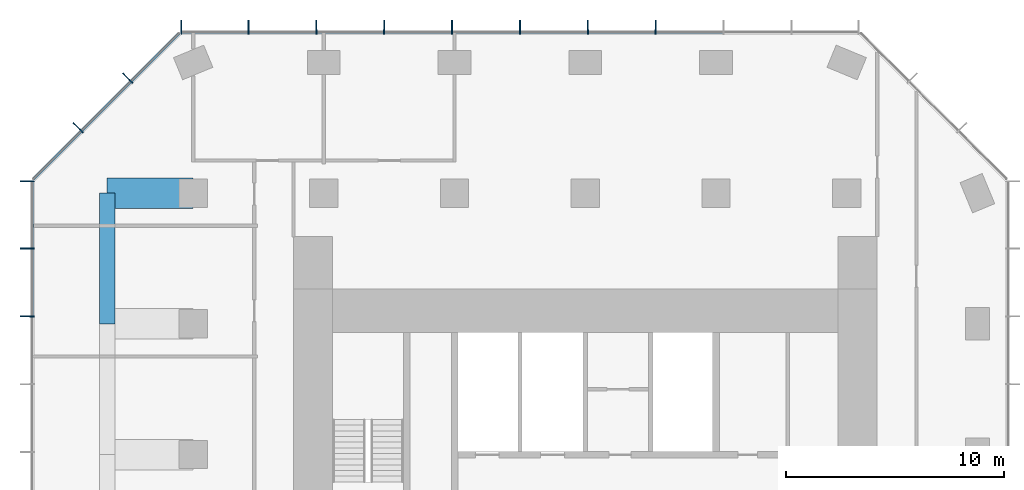
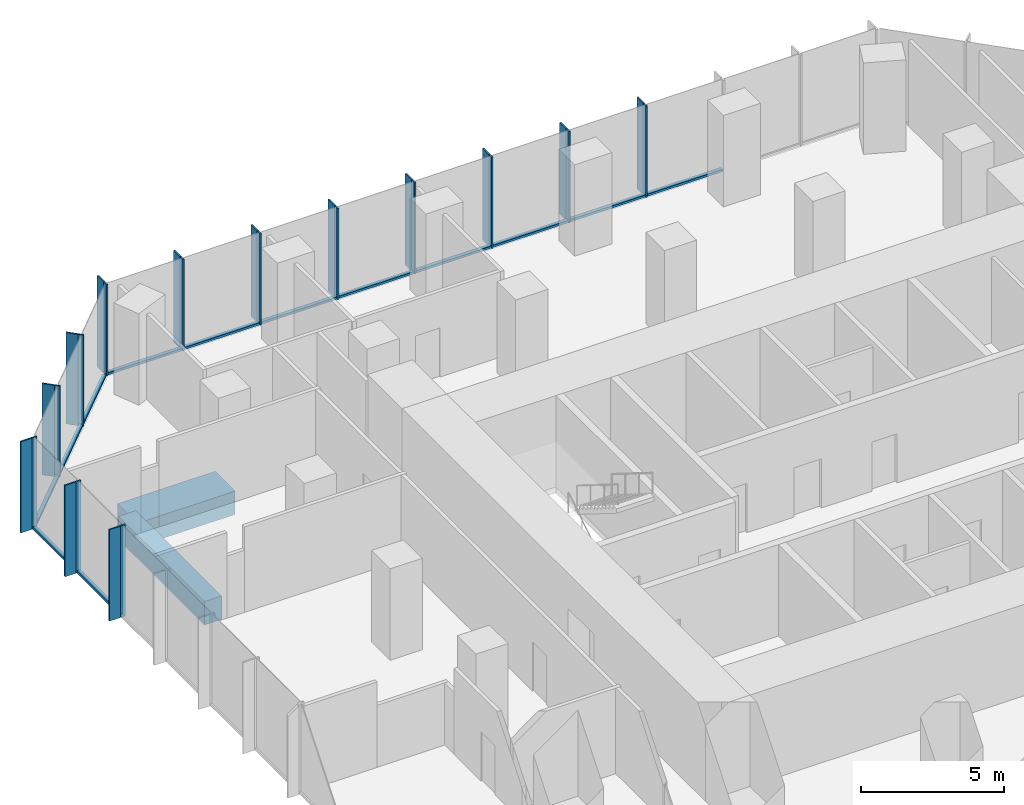
# One storey, part 5 of 11: 39 members, 2 beams, 3 elements without a shape of their own.
"""IFC4 building model written with IfcOpenShell, lengths in metres."""

from ifc_helpers import new_model, si_unit, direction, frame, origin, origin_2d, place, context, subcontext, project, spatial, rectangle, extrude, material, layer, layer_set, material_profile, profile_set, type_object, element, aggregate, save


model = new_model("IFC4")

# Units and contexts
model_context = context("Model", 3, precision=1e-05, world=origin(), true_north=direction((0.0, 1.0)))
body_context = subcontext(model_context, "Body", "Model", "MODEL_VIEW")
ifc_project = project(units=[si_unit("LENGTHUNIT", "METRE"), si_unit("AREAUNIT", "SQUARE_METRE"), si_unit("VOLUMEUNIT", "CUBIC_METRE"), si_unit("PLANEANGLEUNIT", "RADIAN"), si_unit("MASSUNIT", "GRAM", prefix="KILO")], contexts=[model_context])

# Site, building, storey
site_placement = place(None, origin())
site = spatial("IfcSite", under=ifc_project, at=site_placement, CompositionType="ELEMENT")
building_placement = place(site_placement, origin())
building = spatial("IfcBuilding", under=site, at=building_placement, Name="Highveld Stack Headquarters", CompositionType="ELEMENT")
storey_placement = place(building_placement, frame((0.0, 0.0, 224.0)))
storey = spatial("IfcBuildingStorey", under=building, at=storey_placement, Name="L55", CompositionType="ELEMENT", Elevation=224.0)

# Beam
ifc_material_1 = material(Name="Concrete C60/75", Category="concrete")
ifc_material_profile_1 = material_profile(ifc_material_1, rectangle(XDim=1.39990234375, YDim=1.0, at=origin_2d()), Name="RC 1400x1000")
ifc_profile_set_1 = profile_set([ifc_material_profile_1], Name="Concrete C60/75")
beam_type_1 = type_object("IfcBeamType", Name="CANTILEVER RIB RC 1400x1000", PredefinedType="USERDEFINED", material=ifc_profile_set_1)
beam_1_placement = place(storey_placement, frame((-12.0, 18.0, -0.75), z_axis=(-1.0, 0.0, 0.0), x_axis=(0.0, -1.0, 0.0)))
element("IfcBeam", 1, at=beam_1_placement, inside=storey, type_object=beam_type_1, Name="Cantilever rib 4/H L55", ObjectType="CANTILEVER RIB", PredefinedType="USERDEFINED", context=body_context, shape_type="SweptSolid", body=[
    extrude(rectangle(XDim=1.39990234375, YDim=1.0, at=origin_2d()), origin(), (0.0, 0.0, 1.0), 3.949951171875),
])

# Curtain wall, members
ifc_material_2 = material(Name="Aluminium bronze anodised", Category="aluminium")
ifc_layer_1 = layer(ifc_material_2, 0.199951171875)
ifc_layer_set_1 = layer_set([ifc_layer_1], Name="Aluminium bronze anodised")
curtain_wall_type_1 = type_object("IfcCurtainWallType", Name="CW1 TOWER UNITISED CURTAIN WALL", PredefinedType="NOTDEFINED", material=ifc_layer_set_1)
curtain_wall_1_placement = place(storey_placement, origin())
curtain_wall_1 = element("IfcCurtainWall", 2, at=curtain_wall_1_placement, inside=storey, type_object=curtain_wall_type_1, Name="Curtain wall CW1 L55 N", PredefinedType="NOTDEFINED")
ifc_material_3 = material(Name="Aluminium bronze anodised", Category="aluminium")
ifc_material_profile_2 = material_profile(ifc_material_3, rectangle(XDim=0.449951171875, YDim=0.06005859375, at=origin_2d()), Name="FIN 450x60")
ifc_profile_set_2 = profile_set([ifc_material_profile_2], Name="Aluminium bronze anodised")
member_type_1 = type_object("IfcMemberType", Name="CW1 BRONZE FIN 450x60", PredefinedType="USERDEFINED", material=ifc_profile_set_2)
member_1_placement = place(storey_placement, frame((9.23193359375, 25.72509765625, 0.0), z_axis=(0.0, 0.0, 1.0), x_axis=(0.0, -1.0, 0.0)))
member_1 = element("IfcMember", 3, at=member_1_placement, type_object=member_type_1, Name="CW1 fin L55 4", ObjectType="FIN", PredefinedType="USERDEFINED", context=body_context, shape_type="SweptSolid", body=[
    extrude(rectangle(XDim=0.449951171875, YDim=0.06005859375, at=origin_2d()), origin(), (0.0, 0.0, 1.0), 3.89990234375),
])
member_2_placement = place(storey_placement, frame((6.115966796875, 25.72509765625, 0.0), z_axis=(0.0, 0.0, 1.0), x_axis=(0.0, -1.0, 0.0)))
member_2 = element("IfcMember", 4, at=member_2_placement, type_object=member_type_1, Name="CW1 fin L55 5", ObjectType="FIN", PredefinedType="USERDEFINED", context=body_context, shape_type="SweptSolid", body=[
    extrude(rectangle(XDim=0.449951171875, YDim=0.06005859375, at=origin_2d()), origin(), (0.0, 0.0, 1.0), 3.89990234375),
])
member_3_placement = place(storey_placement, frame((3.0, 25.72509765625, 0.0), z_axis=(0.0, 0.0, 1.0), x_axis=(0.0, -1.0, 0.0)))
member_3 = element("IfcMember", 5, at=member_3_placement, type_object=member_type_1, Name="CW1 fin L55 6", ObjectType="FIN", PredefinedType="USERDEFINED", context=body_context, shape_type="SweptSolid", body=[
    extrude(rectangle(XDim=0.449951171875, YDim=0.06005859375, at=origin_2d()), origin(), (0.0, 0.0, 1.0), 3.89990234375),
])
member_4_placement = place(storey_placement, frame((-0.115966796875, 25.72509765625, 0.0), z_axis=(0.0, 0.0, 1.0), x_axis=(0.0, -1.0, 0.0)))
member_4 = element("IfcMember", 6, at=member_4_placement, type_object=member_type_1, Name="CW1 fin L55 7", ObjectType="FIN", PredefinedType="USERDEFINED", context=body_context, shape_type="SweptSolid", body=[
    extrude(rectangle(XDim=0.449951171875, YDim=0.06005859375, at=origin_2d()), origin(), (0.0, 0.0, 1.0), 3.89990234375),
])
member_5_placement = place(storey_placement, frame((-3.23193359375, 25.72509765625, 0.0), z_axis=(0.0, 0.0, 1.0), x_axis=(0.0, -1.0, 0.0)))
member_5 = element("IfcMember", 7, at=member_5_placement, type_object=member_type_1, Name="CW1 fin L55 8", ObjectType="FIN", PredefinedType="USERDEFINED", context=body_context, shape_type="SweptSolid", body=[
    extrude(rectangle(XDim=0.449951171875, YDim=0.06005859375, at=origin_2d()), origin(), (0.0, 0.0, 1.0), 3.89990234375),
])
member_6_placement = place(storey_placement, frame((-6.347900390625, 25.72509765625, 0.0), z_axis=(0.0, 0.0, 1.0), x_axis=(0.0, -1.0, 0.0)))
member_6 = element("IfcMember", 8, at=member_6_placement, type_object=member_type_1, Name="CW1 fin L55 9", ObjectType="FIN", PredefinedType="USERDEFINED", context=body_context, shape_type="SweptSolid", body=[
    extrude(rectangle(XDim=0.449951171875, YDim=0.06005859375, at=origin_2d()), origin(), (0.0, 0.0, 1.0), 3.89990234375),
])
member_7_placement = place(storey_placement, frame((-9.4638671875, 25.72509765625, 0.0), z_axis=(0.0, 0.0, 1.0), x_axis=(0.0, -1.0, 0.0)))
member_7 = element("IfcMember", 9, at=member_7_placement, type_object=member_type_1, Name="CW1 fin L55 10", ObjectType="FIN", PredefinedType="USERDEFINED", context=body_context, shape_type="SweptSolid", body=[
    extrude(rectangle(XDim=0.449951171875, YDim=0.06005859375, at=origin_2d()), origin(), (0.0, 0.0, 1.0), 3.89990234375),
])
member_8_placement = place(storey_placement, frame((-12.54736328125, 25.72509765625, 0.0), z_axis=(0.0, 0.0, 1.0), x_axis=(0.0, -1.0, 0.0)))
member_8 = element("IfcMember", 10, at=member_8_placement, type_object=member_type_1, Name="CW1 fin L55 11", ObjectType="FIN", PredefinedType="USERDEFINED", context=body_context, shape_type="SweptSolid", body=[
    extrude(rectangle(XDim=0.449951171875, YDim=0.06005859375, at=origin_2d()), origin(), (0.0, 0.0, 1.0), 3.89990234375),
])

curtain_wall_2_placement = place(storey_placement, origin())
curtain_wall_2 = element("IfcCurtainWall", 11, at=curtain_wall_2_placement, inside=storey, type_object=curtain_wall_type_1, Name="Curtain wall CW1 L55 W", PredefinedType="NOTDEFINED")
member_9_placement = place(storey_placement, frame((-19.72509765625, 18.54736328125, 0.0), z_axis=(0.0, 0.0, 1.0), x_axis=(1.0, 0.0, 0.0)))
member_9 = element("IfcMember", 12, at=member_9_placement, type_object=member_type_1, Name="CW1 fin L55 1", ObjectType="FIN", PredefinedType="USERDEFINED", context=body_context, shape_type="SweptSolid", body=[
    extrude(rectangle(XDim=0.449951171875, YDim=0.06005859375, at=origin_2d()), origin(), (0.0, 0.0, 1.0), 3.89990234375),
])
member_10_placement = place(storey_placement, frame((-19.72509765625, 15.4638671875, 0.0), z_axis=(0.0, 0.0, 1.0), x_axis=(1.0, 0.0, 0.0)))
member_10 = element("IfcMember", 13, at=member_10_placement, type_object=member_type_1, Name="CW1 fin L55 2", ObjectType="FIN", PredefinedType="USERDEFINED", context=body_context, shape_type="SweptSolid", body=[
    extrude(rectangle(XDim=0.449951171875, YDim=0.06005859375, at=origin_2d()), origin(), (0.0, 0.0, 1.0), 3.89990234375),
])
member_11_placement = place(storey_placement, frame((-19.72509765625, 12.347900390625, 0.0), z_axis=(0.0, 0.0, 1.0), x_axis=(1.0, 0.0, 0.0)))
member_11 = element("IfcMember", 14, at=member_11_placement, type_object=member_type_1, Name="CW1 fin L55 3", ObjectType="FIN", PredefinedType="USERDEFINED", context=body_context, shape_type="SweptSolid", body=[
    extrude(rectangle(XDim=0.449951171875, YDim=0.06005859375, at=origin_2d()), origin(), (0.0, 0.0, 1.0), 3.89990234375),
])

# Member
ifc_material_4 = material(Name="Aluminium bronze anodised", Category="aluminium")
ifc_material_profile_3 = material_profile(ifc_material_4, rectangle(XDim=0.199951171875, YDim=0.06494140625, at=origin_2d()), Name="CW1 MULLION 65x200")
ifc_profile_set_3 = profile_set([ifc_material_profile_3], Name="Aluminium bronze anodised")
member_type_2 = type_object("IfcMemberType", Name="CW1 MULLION 65x200", PredefinedType="MULLION", material=ifc_profile_set_3)
member_12_placement = place(storey_placement, frame((9.23193359375, 25.39990234375, 0.0), z_axis=(0.0, 0.0, 1.0), x_axis=(0.0, -1.0, 0.0)))
member_12 = element("IfcMember", 15, at=member_12_placement, type_object=member_type_2, Name="CW1 mullion L55 4", PredefinedType="MULLION", context=body_context, shape_type="SweptSolid", body=[
    extrude(rectangle(XDim=0.199951171875, YDim=0.06494140625, at=origin_2d()), origin(), (0.0, 0.0, 1.0), 3.89990234375),
])

member_13_placement = place(storey_placement, frame((6.115966796875, 25.39990234375, 0.0), z_axis=(0.0, 0.0, 1.0), x_axis=(0.0, -1.0, 0.0)))
member_13 = element("IfcMember", 16, at=member_13_placement, type_object=member_type_2, Name="CW1 mullion L55 5", PredefinedType="MULLION", context=body_context, shape_type="SweptSolid", body=[
    extrude(rectangle(XDim=0.199951171875, YDim=0.06494140625, at=origin_2d()), origin(), (0.0, 0.0, 1.0), 3.89990234375),
])

member_14_placement = place(storey_placement, frame((3.0, 25.39990234375, 0.0), z_axis=(0.0, 0.0, 1.0), x_axis=(0.0, -1.0, 0.0)))
member_14 = element("IfcMember", 17, at=member_14_placement, type_object=member_type_2, Name="CW1 mullion L55 6", PredefinedType="MULLION", context=body_context, shape_type="SweptSolid", body=[
    extrude(rectangle(XDim=0.199951171875, YDim=0.06494140625, at=origin_2d()), origin(), (0.0, 0.0, 1.0), 3.89990234375),
])

member_15_placement = place(storey_placement, frame((-0.115966796875, 25.39990234375, 0.0), z_axis=(0.0, 0.0, 1.0), x_axis=(0.0, -1.0, 0.0)))
member_15 = element("IfcMember", 18, at=member_15_placement, type_object=member_type_2, Name="CW1 mullion L55 7", PredefinedType="MULLION", context=body_context, shape_type="SweptSolid", body=[
    extrude(rectangle(XDim=0.199951171875, YDim=0.06494140625, at=origin_2d()), origin(), (0.0, 0.0, 1.0), 3.89990234375),
])

member_16_placement = place(storey_placement, frame((-3.23193359375, 25.39990234375, 0.0), z_axis=(0.0, 0.0, 1.0), x_axis=(0.0, -1.0, 0.0)))
member_16 = element("IfcMember", 19, at=member_16_placement, type_object=member_type_2, Name="CW1 mullion L55 8", PredefinedType="MULLION", context=body_context, shape_type="SweptSolid", body=[
    extrude(rectangle(XDim=0.199951171875, YDim=0.06494140625, at=origin_2d()), origin(), (0.0, 0.0, 1.0), 3.89990234375),
])

member_17_placement = place(storey_placement, frame((-6.347900390625, 25.39990234375, 0.0), z_axis=(0.0, 0.0, 1.0), x_axis=(0.0, -1.0, 0.0)))
member_17 = element("IfcMember", 20, at=member_17_placement, type_object=member_type_2, Name="CW1 mullion L55 9", PredefinedType="MULLION", context=body_context, shape_type="SweptSolid", body=[
    extrude(rectangle(XDim=0.199951171875, YDim=0.06494140625, at=origin_2d()), origin(), (0.0, 0.0, 1.0), 3.89990234375),
])

member_18_placement = place(storey_placement, frame((-9.4638671875, 25.39990234375, 0.0), z_axis=(0.0, 0.0, 1.0), x_axis=(0.0, -1.0, 0.0)))
member_18 = element("IfcMember", 21, at=member_18_placement, type_object=member_type_2, Name="CW1 mullion L55 10", PredefinedType="MULLION", context=body_context, shape_type="SweptSolid", body=[
    extrude(rectangle(XDim=0.199951171875, YDim=0.06494140625, at=origin_2d()), origin(), (0.0, 0.0, 1.0), 3.89990234375),
])

member_19_placement = place(storey_placement, frame((-12.54736328125, 25.39990234375, 0.0), z_axis=(0.0, 0.0, 1.0), x_axis=(0.0, -1.0, 0.0)))
member_19 = element("IfcMember", 22, at=member_19_placement, type_object=member_type_2, Name="CW1 mullion L55 11", PredefinedType="MULLION", context=body_context, shape_type="SweptSolid", body=[
    extrude(rectangle(XDim=0.199951171875, YDim=0.06494140625, at=origin_2d()), origin(), (0.0, 0.0, 1.0), 3.89990234375),
])

member_20_placement = place(storey_placement, frame((-19.39990234375, 18.54736328125, 0.0), z_axis=(0.0, 0.0, 1.0), x_axis=(1.0, 0.0, 0.0)))
member_20 = element("IfcMember", 23, at=member_20_placement, type_object=member_type_2, Name="CW1 mullion L55 1", PredefinedType="MULLION", context=body_context, shape_type="SweptSolid", body=[
    extrude(rectangle(XDim=0.199951171875, YDim=0.06494140625, at=origin_2d()), origin(), (0.0, 0.0, 1.0), 3.89990234375),
])

member_21_placement = place(storey_placement, frame((-19.39990234375, 15.4638671875, 0.0), z_axis=(0.0, 0.0, 1.0), x_axis=(1.0, 0.0, 0.0)))
member_21 = element("IfcMember", 24, at=member_21_placement, type_object=member_type_2, Name="CW1 mullion L55 2", PredefinedType="MULLION", context=body_context, shape_type="SweptSolid", body=[
    extrude(rectangle(XDim=0.199951171875, YDim=0.06494140625, at=origin_2d()), origin(), (0.0, 0.0, 1.0), 3.89990234375),
])

member_22_placement = place(storey_placement, frame((-19.39990234375, 12.347900390625, 0.0), z_axis=(0.0, 0.0, 1.0), x_axis=(1.0, 0.0, 0.0)))
member_22 = element("IfcMember", 25, at=member_22_placement, type_object=member_type_2, Name="CW1 mullion L55 3", PredefinedType="MULLION", context=body_context, shape_type="SweptSolid", body=[
    extrude(rectangle(XDim=0.199951171875, YDim=0.06494140625, at=origin_2d()), origin(), (0.0, 0.0, 1.0), 3.89990234375),
])

ifc_material_5 = material(Name="Aluminium bronze anodised", Category="aluminium")
ifc_material_profile_4 = material_profile(ifc_material_5, rectangle(XDim=0.14990234375, YDim=0.10009765625, at=origin_2d()), Name="CW1 TRANSOM 150x100")
ifc_profile_set_4 = profile_set([ifc_material_profile_4], Name="Aluminium bronze anodised")
member_type_3 = type_object("IfcMemberType", Name="CW1 STACK TRANSOM 150x100", PredefinedType="USERDEFINED", material=ifc_profile_set_4)
member_23_placement = place(storey_placement, frame((12.3154296875, 25.39990234375, 0.050048828125), z_axis=(-1.0, 0.0, 0.0), x_axis=(0.0, -1.0, 0.0)))
member_23 = element("IfcMember", 26, at=member_23_placement, type_object=member_type_3, Name="CW1 transom L55 3.1", ObjectType="TRANSOM", PredefinedType="USERDEFINED", context=body_context, shape_type="SweptSolid", body=[
    extrude(rectangle(XDim=0.14990234375, YDim=0.10009765625, at=origin_2d()), origin(), (0.0, 0.0, 1.0), 3.051025390625),
])

member_24_placement = place(storey_placement, frame((9.199462890625, 25.39990234375, 0.050048828125), z_axis=(-1.0, 0.0, 0.0), x_axis=(0.0, -1.0, 0.0)))
member_24 = element("IfcMember", 27, at=member_24_placement, type_object=member_type_3, Name="CW1 transom L55 4.1", ObjectType="TRANSOM", PredefinedType="USERDEFINED", context=body_context, shape_type="SweptSolid", body=[
    extrude(rectangle(XDim=0.14990234375, YDim=0.10009765625, at=origin_2d()), origin(), (0.0, 0.0, 1.0), 3.051025390625),
])

member_25_placement = place(storey_placement, frame((6.08349609375, 25.39990234375, 0.050048828125), z_axis=(-1.0, 0.0, 0.0), x_axis=(0.0, -1.0, 0.0)))
member_25 = element("IfcMember", 28, at=member_25_placement, type_object=member_type_3, Name="CW1 transom L55 5.1", ObjectType="TRANSOM", PredefinedType="USERDEFINED", context=body_context, shape_type="SweptSolid", body=[
    extrude(rectangle(XDim=0.14990234375, YDim=0.10009765625, at=origin_2d()), origin(), (0.0, 0.0, 1.0), 3.051025390625),
])

member_26_placement = place(storey_placement, frame((2.967529296875, 25.39990234375, 0.050048828125), z_axis=(-1.0, 0.0, 0.0), x_axis=(0.0, -1.0, 0.0)))
member_26 = element("IfcMember", 29, at=member_26_placement, type_object=member_type_3, Name="CW1 transom L55 6.1", ObjectType="TRANSOM", PredefinedType="USERDEFINED", context=body_context, shape_type="SweptSolid", body=[
    extrude(rectangle(XDim=0.14990234375, YDim=0.10009765625, at=origin_2d()), origin(), (0.0, 0.0, 1.0), 3.051025390625),
])

member_27_placement = place(storey_placement, frame((-0.1484375, 25.39990234375, 0.050048828125), z_axis=(-1.0, 0.0, 0.0), x_axis=(0.0, -1.0, 0.0)))
member_27 = element("IfcMember", 30, at=member_27_placement, type_object=member_type_3, Name="CW1 transom L55 7.1", ObjectType="TRANSOM", PredefinedType="USERDEFINED", context=body_context, shape_type="SweptSolid", body=[
    extrude(rectangle(XDim=0.14990234375, YDim=0.10009765625, at=origin_2d()), origin(), (0.0, 0.0, 1.0), 3.051025390625),
])

member_28_placement = place(storey_placement, frame((-3.264404296875, 25.39990234375, 0.050048828125), z_axis=(-1.0, 0.0, 0.0), x_axis=(0.0, -1.0, 0.0)))
member_28 = element("IfcMember", 31, at=member_28_placement, type_object=member_type_3, Name="CW1 transom L55 8.1", ObjectType="TRANSOM", PredefinedType="USERDEFINED", context=body_context, shape_type="SweptSolid", body=[
    extrude(rectangle(XDim=0.14990234375, YDim=0.10009765625, at=origin_2d()), origin(), (0.0, 0.0, 1.0), 3.051025390625),
])

member_29_placement = place(storey_placement, frame((-6.38037109375, 25.39990234375, 0.050048828125), z_axis=(-1.0, 0.0, 0.0), x_axis=(0.0, -1.0, 0.0)))
member_29 = element("IfcMember", 32, at=member_29_placement, type_object=member_type_3, Name="CW1 transom L55 9.1", ObjectType="TRANSOM", PredefinedType="USERDEFINED", context=body_context, shape_type="SweptSolid", body=[
    extrude(rectangle(XDim=0.14990234375, YDim=0.10009765625, at=origin_2d()), origin(), (0.0, 0.0, 1.0), 3.051025390625),
])

member_30_placement = place(storey_placement, frame((-9.496337890625, 25.39990234375, 0.050048828125), z_axis=(-1.0, 0.0, 0.0), x_axis=(0.0, -1.0, 0.0)))
member_30 = element("IfcMember", 33, at=member_30_placement, type_object=member_type_3, Name="CW1 transom L55 10.1", ObjectType="TRANSOM", PredefinedType="USERDEFINED", context=body_context, shape_type="SweptSolid", body=[
    extrude(rectangle(XDim=0.14990234375, YDim=0.10009765625, at=origin_2d()), origin(), (0.0, 0.0, 1.0), 3.0185546875),
])

aggregate(curtain_wall_1, [member_12, member_1, member_13, member_2, member_14, member_3, member_15, member_4, member_16, member_5, member_17, member_6, member_18, member_7, member_19, member_8, member_23, member_24, member_25, member_26, member_27, member_28, member_29, member_30])

member_31_placement = place(storey_placement, frame((-19.39990234375, 18.514892578125, 0.050048828125), z_axis=(0.0, -1.0, 0.0), x_axis=(1.0, 0.0, 0.0)))
member_31 = element("IfcMember", 34, at=member_31_placement, type_object=member_type_3, Name="CW1 transom L55 1.1", ObjectType="TRANSOM", PredefinedType="USERDEFINED", context=body_context, shape_type="SweptSolid", body=[
    extrude(rectangle(XDim=0.14990234375, YDim=0.10009765625, at=origin_2d()), origin(), (0.0, 0.0, 1.0), 3.0185546875),
])

member_32_placement = place(storey_placement, frame((-19.39990234375, 15.431396484375, 0.050048828125), z_axis=(0.0, -1.0, 0.0), x_axis=(1.0, 0.0, 0.0)))
member_32 = element("IfcMember", 35, at=member_32_placement, type_object=member_type_3, Name="CW1 transom L55 2.1", ObjectType="TRANSOM", PredefinedType="USERDEFINED", context=body_context, shape_type="SweptSolid", body=[
    extrude(rectangle(XDim=0.14990234375, YDim=0.10009765625, at=origin_2d()), origin(), (0.0, 0.0, 1.0), 3.051025390625),
])

aggregate(curtain_wall_2, [member_20, member_9, member_21, member_10, member_22, member_11, member_31, member_32])

# Curtain wall, members
ifc_material_6 = material(Name="Aluminium bronze anodised", Category="aluminium")
ifc_layer_2 = layer(ifc_material_6, 0.199951171875)
ifc_layer_set_2 = layer_set([ifc_layer_2], Name="Aluminium bronze anodised")
curtain_wall_type_2 = type_object("IfcCurtainWallType", Name="CW2 TOWER CHAMFER UNITISED CURTAIN WALL", PredefinedType="NOTDEFINED", material=ifc_layer_set_2)
curtain_wall_3_placement = place(storey_placement, origin())
curtain_wall_3 = element("IfcCurtainWall", 36, at=curtain_wall_3_placement, inside=storey, type_object=curtain_wall_type_2, Name="Curtain wall CW2 L55 NW", PredefinedType="NOTDEFINED")
ifc_material_7 = material(Name="Aluminium bronze anodised", Category="aluminium")
ifc_material_profile_5 = material_profile(ifc_material_7, rectangle(XDim=0.449951171875, YDim=0.06005859375, at=origin_2d()), Name="FIN 450x60")
ifc_profile_set_5 = profile_set([ifc_material_profile_5], Name="Aluminium bronze anodised")
member_type_4 = type_object("IfcMemberType", Name="CW2 BRONZE FIN 450x60", PredefinedType="USERDEFINED", material=ifc_profile_set_5)
member_33_placement = place(storey_placement, frame((-15.0830078125, 23.3564453125, 0.0), z_axis=(0.0, 0.0, 1.0), x_axis=(0.707106781187, -0.707106781187, 0.0)))
member_33 = element("IfcMember", 37, at=member_33_placement, type_object=member_type_4, Name="CW2 fin L55 1", ObjectType="FIN", PredefinedType="USERDEFINED", context=body_context, shape_type="SweptSolid", body=[
    extrude(rectangle(XDim=0.449951171875, YDim=0.06005859375, at=origin_2d()), origin(), (0.0, 0.0, 1.0), 3.89990234375),
])
member_34_placement = place(storey_placement, frame((-17.3564453125, 21.0830078125, 0.0), z_axis=(0.0, 0.0, 1.0), x_axis=(0.707106781187, -0.707106781187, 0.0)))
member_34 = element("IfcMember", 38, at=member_34_placement, type_object=member_type_4, Name="CW2 fin L55 2", ObjectType="FIN", PredefinedType="USERDEFINED", context=body_context, shape_type="SweptSolid", body=[
    extrude(rectangle(XDim=0.449951171875, YDim=0.06005859375, at=origin_2d()), origin(), (0.0, 0.0, 1.0), 3.89990234375),
])
ifc_material_8 = material(Name="Aluminium bronze anodised", Category="aluminium")
ifc_material_profile_6 = material_profile(ifc_material_8, rectangle(XDim=0.199951171875, YDim=0.06494140625, at=origin_2d()), Name="CW2 MULLION 65x200")
ifc_profile_set_6 = profile_set([ifc_material_profile_6], Name="Aluminium bronze anodised")
member_type_5 = type_object("IfcMemberType", Name="CW2 MULLION 65x200", PredefinedType="MULLION", material=ifc_profile_set_6)
member_35_placement = place(storey_placement, frame((-14.853271484375, 23.126708984375, 0.0), z_axis=(0.0, 0.0, 1.0), x_axis=(0.707106781187, -0.707106781187, 0.0)))
member_35 = element("IfcMember", 39, at=member_35_placement, type_object=member_type_5, Name="CW2 mullion L55 1", PredefinedType="MULLION", context=body_context, shape_type="SweptSolid", body=[
    extrude(rectangle(XDim=0.199951171875, YDim=0.06494140625, at=origin_2d()), origin(), (0.0, 0.0, 1.0), 3.89990234375),
])
member_36_placement = place(storey_placement, frame((-17.126708984375, 20.853271484375, 0.0), z_axis=(0.0, 0.0, 1.0), x_axis=(0.707106781187, -0.707106781187, 0.0)))
member_36 = element("IfcMember", 40, at=member_36_placement, type_object=member_type_5, Name="CW2 mullion L55 2", PredefinedType="MULLION", context=body_context, shape_type="SweptSolid", body=[
    extrude(rectangle(XDim=0.199951171875, YDim=0.06494140625, at=origin_2d()), origin(), (0.0, 0.0, 1.0), 3.89990234375),
])
ifc_material_9 = material(Name="Aluminium bronze anodised", Category="aluminium")
ifc_material_profile_7 = material_profile(ifc_material_9, rectangle(XDim=0.14990234375, YDim=0.10009765625, at=origin_2d()), Name="CW2 TRANSOM 150x100")
ifc_profile_set_7 = profile_set([ifc_material_profile_7], Name="Aluminium bronze anodised")
member_type_6 = type_object("IfcMemberType", Name="CW2 STACK TRANSOM 150x100", PredefinedType="USERDEFINED", material=ifc_profile_set_7)
member_37_placement = place(storey_placement, frame((-12.650634765625, 25.329345703125, 0.050048828125), z_axis=(-0.707106781187, -0.707106781187, 0.0), x_axis=(0.707106781187, -0.707106781187, 0.0)))
member_37 = element("IfcMember", 41, at=member_37_placement, type_object=member_type_6, Name="CW2 transom L55 1.1", ObjectType="TRANSOM", PredefinedType="USERDEFINED", context=body_context, shape_type="SweptSolid", body=[
    extrude(rectangle(XDim=0.14990234375, YDim=0.10009765625, at=origin_2d()), origin(), (0.0, 0.0, 1.0), 3.08251953125),
])
member_38_placement = place(storey_placement, frame((-14.876220703125, 23.103759765625, 0.050048828125), z_axis=(-0.707106781187, -0.707106781187, 0.0), x_axis=(0.707106781187, -0.707106781187, 0.0)))
member_38 = element("IfcMember", 42, at=member_38_placement, type_object=member_type_6, Name="CW2 transom L55 2.1", ObjectType="TRANSOM", PredefinedType="USERDEFINED", context=body_context, shape_type="SweptSolid", body=[
    extrude(rectangle(XDim=0.14990234375, YDim=0.10009765625, at=origin_2d()), origin(), (0.0, 0.0, 1.0), 3.150146484375),
])
member_39_placement = place(storey_placement, frame((-17.149658203125, 20.830322265625, 0.050048828125), z_axis=(-0.707106781187, -0.707106781187, 0.0), x_axis=(0.707106781187, -0.707106781187, 0.0)))
member_39 = element("IfcMember", 43, at=member_39_placement, type_object=member_type_6, Name="CW2 transom L55 3.1", ObjectType="TRANSOM", PredefinedType="USERDEFINED", context=body_context, shape_type="SweptSolid", body=[
    extrude(rectangle(XDim=0.14990234375, YDim=0.10009765625, at=origin_2d()), origin(), (0.0, 0.0, 1.0), 3.08251953125),
])
aggregate(curtain_wall_3, [member_35, member_33, member_36, member_34, member_37, member_38, member_39])

# Beam
ifc_material_10 = material(Name="Concrete C60/75", Category="concrete")
ifc_material_profile_8 = material_profile(ifc_material_10, rectangle(XDim=0.699951171875, YDim=1.0, at=origin_2d()), Name="RC 700x1000")
ifc_profile_set_8 = profile_set([ifc_material_profile_8], Name="Concrete C60/75")
beam_type_2 = type_object("IfcBeamType", Name="RIB TIP BEAM RC 700x1000", PredefinedType="SPANDREL", material=ifc_profile_set_8)
beam_2_placement = place(storey_placement, frame((-15.949951171875, 12.0, -0.75), z_axis=(0.0, 1.0, 0.0), x_axis=(-1.0, 0.0, 0.0)))
element("IfcBeam", 44, at=beam_2_placement, inside=storey, type_object=beam_type_2, Name="Rib tip beam 4/G to 4/H L55", PredefinedType="SPANDREL", context=body_context, shape_type="SweptSolid", body=[
    extrude(rectangle(XDim=0.699951171875, YDim=1.0, at=origin_2d()), origin(), (0.0, 0.0, 1.0), 6.0),
])

save(model, "model.ifc")
